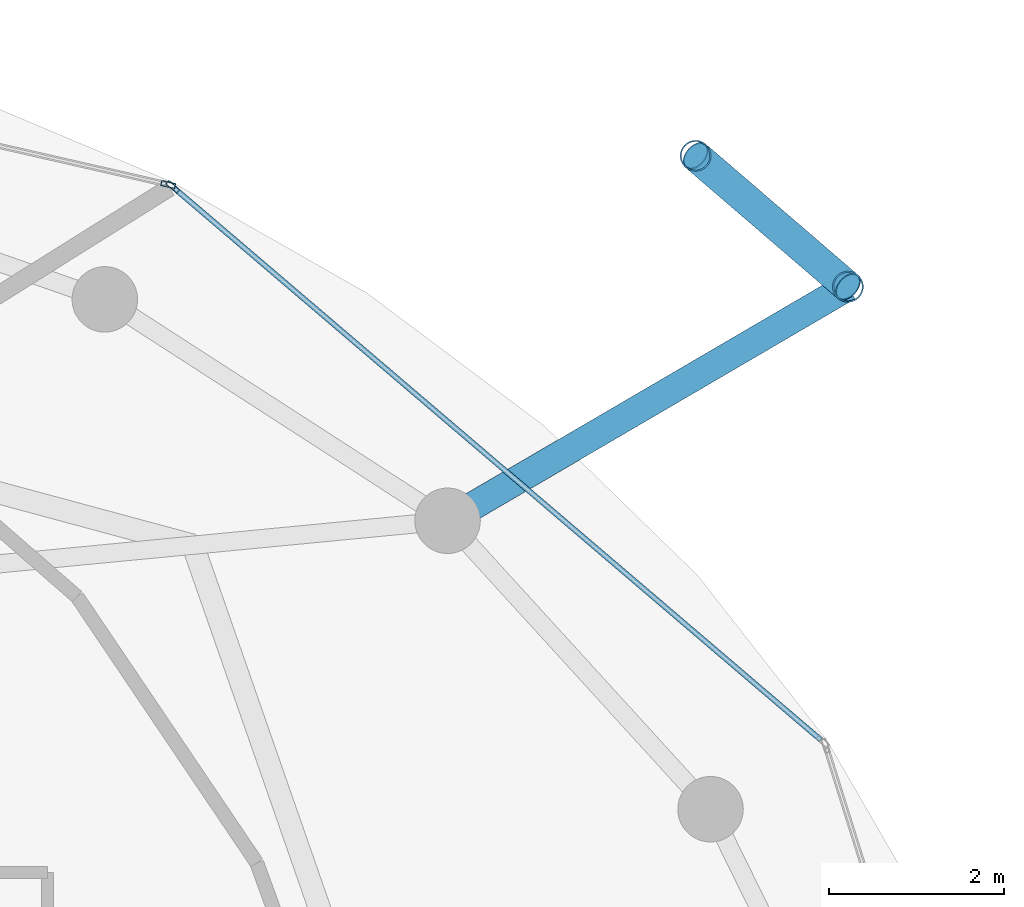
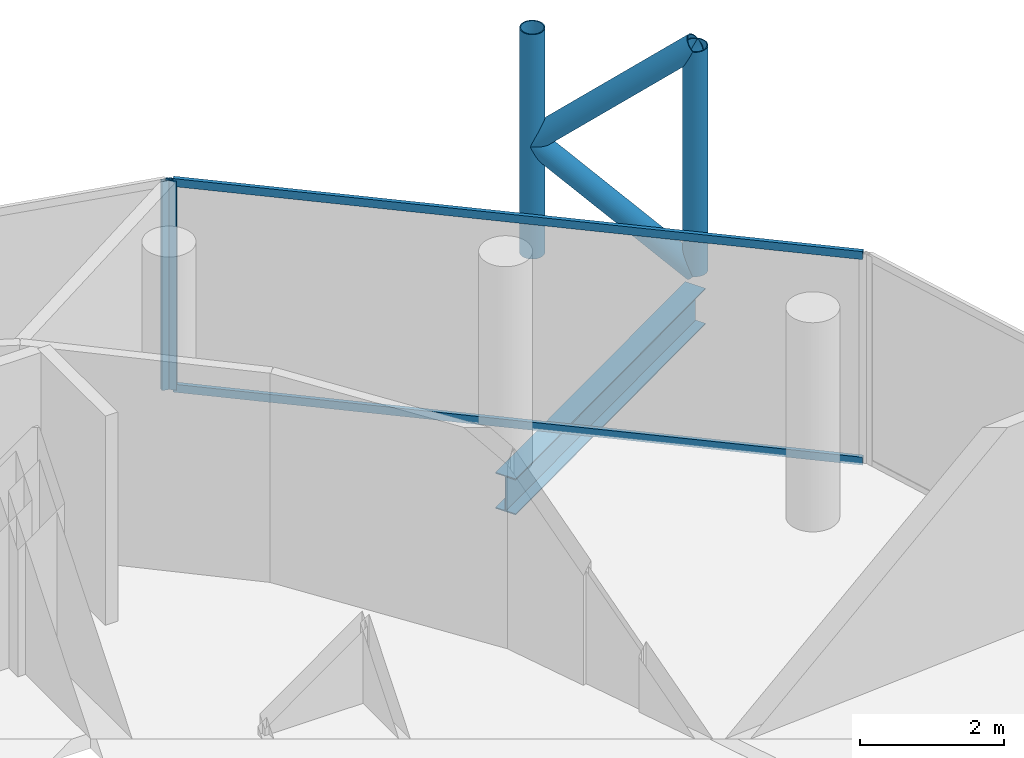
# One storey, part 18 of 24: 8 members, 1 beam, 2 elements without a shape of their own.
"""IFC4 building model written with IfcOpenShell, lengths in metres."""

from ifc_helpers import new_model, si_unit, direction, frame, origin, origin_2d, place, context, subcontext, project, spatial, hollow_rectangle, hollow_circle, i_section, extrude, material, layer, layer_set, material_profile, profile_set, type_object, element, aggregate, save


model = new_model("IFC4")

# Units and contexts
model_context = context("Model", 3, precision=1e-05, world=origin(), true_north=direction((0.0, 1.0)))
body_context = subcontext(model_context, "Body", "Model", "MODEL_VIEW")
ifc_project = project(units=[si_unit("LENGTHUNIT", "METRE"), si_unit("AREAUNIT", "SQUARE_METRE"), si_unit("VOLUMEUNIT", "CUBIC_METRE"), si_unit("PLANEANGLEUNIT", "RADIAN"), si_unit("MASSUNIT", "GRAM", prefix="KILO")], contexts=[model_context])

# Site, building, storey
site_placement = place(None, origin())
site = spatial("IfcSite", under=ifc_project, at=site_placement, CompositionType="ELEMENT")
building_placement = place(site_placement, origin())
building = spatial("IfcBuilding", under=site, at=building_placement, Name="Nuhasar Tower", CompositionType="ELEMENT")
storey_placement = place(building_placement, frame((0.0, 0.0, 286.0)))
storey = spatial("IfcBuildingStorey", under=building, at=storey_placement, Name="L71", CompositionType="ELEMENT", Elevation=286.0)

# Beam
ifc_material_1 = material(Name="Steel S355", Category="steel")
ifc_material_profile_1 = material_profile(ifc_material_1, i_section(OverallWidth=0.323974609375, OverallDepth=0.611083984375, WebThickness=0.0126953125, FlangeThickness=0.01904296875, at=origin_2d()), Name="W24X104")
ifc_profile_set_1 = profile_set([ifc_material_profile_1], Name="Steel S355")
beam_type = type_object("IfcBeamType", Name="BM-TIE-W24X104", PredefinedType="BEAM", material=ifc_profile_set_1)
beam_placement = place(storey_placement, frame((52.39990234375, 38.077880859375, -0.56494140625), z_axis=(0.863271521286, 0.504739814693, 0.0), x_axis=(-0.504739814693, 0.863271521286, 0.0)))
element("IfcBeam", 1, at=beam_placement, inside=storey, type_object=beam_type, Name="L71 Exoskeleton Node Tie Beam 02", PredefinedType="BEAM", context=body_context, shape_type="SweptSolid", body=[
    extrude(i_section(OverallWidth=0.323974609375, OverallDepth=0.611083984375, WebThickness=0.0126953125, FlangeThickness=0.01904296875, at=origin_2d()), origin(), (0.0, 0.0, 1.0), 5.31005859375),
])

# Curtain wall, member
ifc_material_2 = material(Name="Aluminium 6063-T6", Category="aluminium")
ifc_layer = layer(ifc_material_2, 0.18994140625)
ifc_layer_set = layer_set([ifc_layer], Name="Aluminium 6063-T6")
curtain_wall_type = type_object("IfcCurtainWallType", Name="CW-Z4-PEN", PredefinedType="NOTDEFINED", material=ifc_layer_set)
curtain_wall_1_placement = place(storey_placement, origin())
curtain_wall_1 = element("IfcCurtainWall", 2, at=curtain_wall_1_placement, inside=storey, type_object=curtain_wall_type, Name="L71 Unitised Curtain Wall 02", PredefinedType="NOTDEFINED")
ifc_material_profile_2 = material_profile(ifc_material_2, hollow_rectangle(XDim=0.06005859375, YDim=0.1650390625, WallThickness=0.0048828125, at=origin_2d()), Name="CWM-5")
ifc_profile_set_2 = profile_set([ifc_material_profile_2], Name="Aluminium 6063-T6")
member_type_1 = type_object("IfcMemberType", Name="CW-MUL-S5", PredefinedType="MULLION", material=ifc_profile_set_2)
member_1_placement = place(storey_placement, frame((49.2529296875, 41.901611328125, 0.0), z_axis=(0.0, 0.0, 1.0), x_axis=(-0.649141996205, -0.760667252327, 0.0)))
member_1 = element("IfcMember", 3, at=member_1_placement, type_object=member_type_1, Name="CW-Z4 mullion 2", PredefinedType="MULLION", context=body_context, shape_type="SweptSolid", body=[
    extrude(hollow_rectangle(XDim=0.06005859375, YDim=0.1650390625, WallThickness=0.0048828125, at=origin_2d()), origin(), (0.0, 0.0, 1.0), 3.5400390625),
])

curtain_wall_2_placement = place(storey_placement, origin())
curtain_wall_2 = element("IfcCurtainWall", 4, at=curtain_wall_2_placement, inside=storey, type_object=curtain_wall_type, Name="L71 Unitised Curtain Wall 03", PredefinedType="NOTDEFINED")
member_2_placement = place(storey_placement, frame((49.20068359375, 41.927734375, 0.0), z_axis=(0.0, 0.0, 1.0), x_axis=(-0.222889487645, -0.97484371891, 0.0)))
member_2 = element("IfcMember", 5, at=member_2_placement, type_object=member_type_1, Name="CW-Z4 mullion 1", PredefinedType="MULLION", context=body_context, shape_type="SweptSolid", body=[
    extrude(hollow_rectangle(XDim=0.06005859375, YDim=0.1650390625, WallThickness=0.0048828125, at=origin_2d()), origin(), (0.0, 0.0, 1.0), 3.5400390625),
])
aggregate(curtain_wall_2, [member_2])

# Member
ifc_material_profile_3 = material_profile(ifc_material_2, hollow_rectangle(XDim=0.06005859375, YDim=0.135009765625, WallThickness=0.00439453125, at=origin_2d()), Name="CWT-5")
ifc_profile_set_3 = profile_set([ifc_material_profile_3], Name="Aluminium 6063-T6")
member_type_2 = type_object("IfcMemberType", Name="CW-TRN-S5", PredefinedType="USERDEFINED", material=ifc_profile_set_3)
member_3_placement = place(storey_placement, frame((56.67333984375, 35.56884765625, 0.030029296875), z_axis=(-0.760660035709, 0.649150452573, 0.0), x_axis=(-0.649150452573, -0.760660035709, 0.0)))
member_3 = element("IfcMember", 6, at=member_3_placement, type_object=member_type_2, Name="CW-Z4 transom 1.1", ObjectType="TRANSOM", PredefinedType="USERDEFINED", context=body_context, shape_type="SweptSolid", body=[
    extrude(hollow_rectangle(XDim=0.06005859375, YDim=0.135009765625, WallThickness=0.00439453125, at=origin_2d()), origin(), (0.0, 0.0, 1.0), 9.725341796875),
])

member_4_placement = place(storey_placement, frame((56.67333984375, 35.56884765625, 3.510009765625), z_axis=(-0.760660035709, 0.649150452573, 0.0), x_axis=(-0.649150452573, -0.760660035709, 0.0)))
member_4 = element("IfcMember", 7, at=member_4_placement, type_object=member_type_2, Name="CW-Z4 transom 1.2", ObjectType="TRANSOM", PredefinedType="USERDEFINED", context=body_context, shape_type="SweptSolid", body=[
    extrude(hollow_rectangle(XDim=0.06005859375, YDim=0.135009765625, WallThickness=0.00439453125, at=origin_2d()), origin(), (0.0, 0.0, 1.0), 9.725341796875),
])

aggregate(curtain_wall_1, [member_1, member_3, member_4])

# Members
ifc_material_3 = material(Name="Steel S460", Category="steel")
ifc_material_profile_4 = material_profile(ifc_material_3, hollow_circle(Radius=0.177734375, WallThickness=0.015869140625, at=origin_2d()), Name="HSS355.6X15.9")
ifc_profile_set_4 = profile_set([ifc_material_profile_4], Name="Steel S460")
member_type_3 = type_object("IfcMemberType", Name="EXO-BRONZE-356", PredefinedType="BRACE", material=ifc_profile_set_4)
for number, where, z_axis, x_axis, name in (
    (8, (56.98388671875, 40.758056640625, 0.0), (0.0, 0.0, 1.0), (1.0, 0.0, 0.0), "L71 Exoskeleton Chord Column EC-02A"),
    (9, (55.239990234375, 42.257080078125, 0.0), (0.0, 0.0, 1.0), (1.0, 0.0, 0.0), "L71 Exoskeleton Chord Column EC-02B"),
):
    element("IfcMember", number, at=place(storey_placement, frame(where, z_axis=z_axis, x_axis=x_axis)), inside=storey, type_object=member_type_3, Name=name, PredefinedType="BRACE", context=body_context, shape_type="SweptSolid", body=[
        extrude(hollow_circle(Radius=0.177734375, WallThickness=0.015869140625, at=origin_2d()), origin(), (0.0, 0.0, 1.0), 3.800048828125),
    ])
member_5_placement = place(storey_placement, frame((56.98388671875, 40.758056640625, 0.0), z_axis=(-0.584625223306, 0.502533791278, 0.636924749792), x_axis=(-0.65185738425, -0.758341579104, 0.0)))
element("IfcMember", 10, at=member_5_placement, inside=storey, type_object=member_type_3, Name="L71 Bronze Diagrid Brace W1-02", PredefinedType="BRACE", context=body_context, shape_type="SweptSolid", body=[
    extrude(hollow_circle(Radius=0.177734375, WallThickness=0.015869140625, at=origin_2d()), origin(), (0.0, 0.0, 1.0), 2.98291015625),
])
member_6_placement = place(storey_placement, frame((55.239990234375, 42.257080078125, 1.89990234375), z_axis=(0.584594747408, -0.50250759472, 0.636973389203), x_axis=(0.65185738425, 0.758341579104, 0.0)))
element("IfcMember", 11, at=member_6_placement, inside=storey, type_object=member_type_3, Name="L71 Bronze Diagrid Brace W2-02", PredefinedType="BRACE", context=body_context, shape_type="SweptSolid", body=[
    extrude(hollow_circle(Radius=0.177734375, WallThickness=0.015869140625, at=origin_2d()), origin(), (0.0, 0.0, 1.0), 2.983154296875),
])

save(model, "model.ifc")
